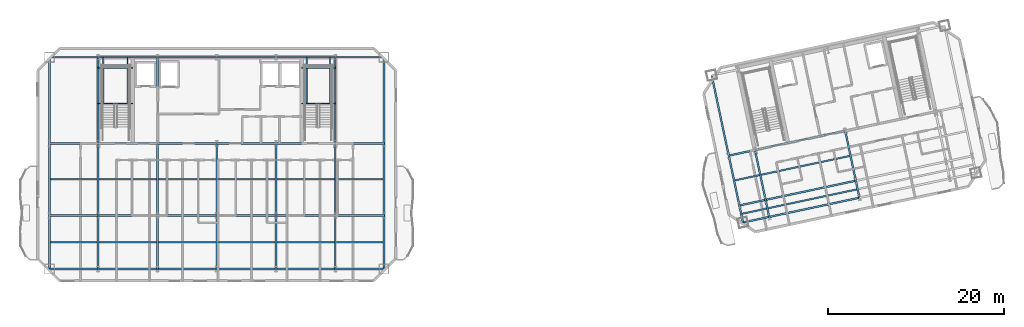
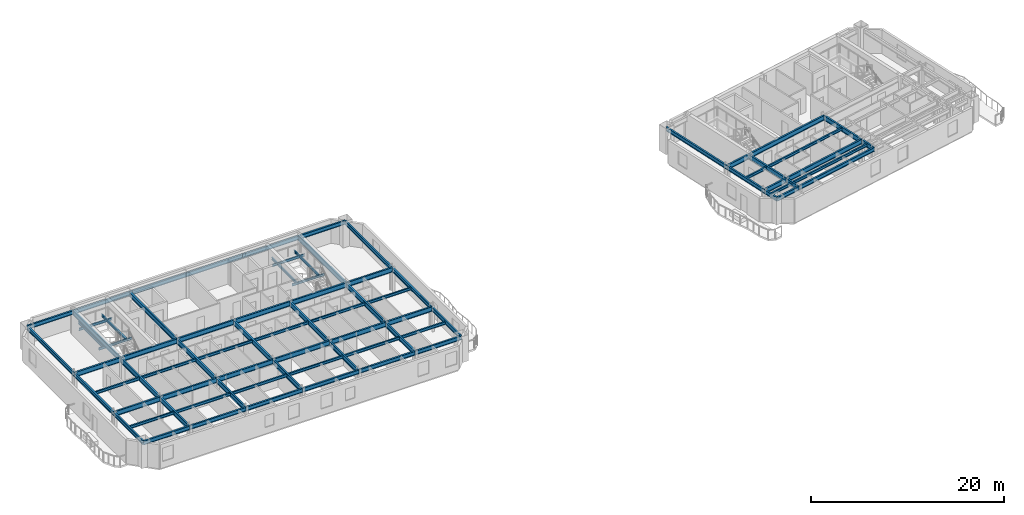
# One storey, part 3 of 14: 80 beams.
"""IFC4 building model written with IfcOpenShell, lengths in metres."""

from ifc_helpers import new_model, si_unit, direction, frame, origin, origin_2d, place, context, subcontext, project, spatial, i_section, extrude, material, material_profile, profile_set, type_object, element, save


model = new_model("IFC4")

# Units and contexts
model_context = context("Model", 3, precision=1e-05, world=origin(), true_north=direction((0.0, 1.0)))
body_context = subcontext(model_context, "Body", "Model", "MODEL_VIEW")
ifc_project = project(units=[si_unit("LENGTHUNIT", "METRE"), si_unit("AREAUNIT", "SQUARE_METRE"), si_unit("VOLUMEUNIT", "CUBIC_METRE"), si_unit("PLANEANGLEUNIT", "RADIAN"), si_unit("MASSUNIT", "GRAM", prefix="KILO")], contexts=[model_context])

# Site, building, storey
site_placement = place(None, origin())
site = spatial("IfcSite", under=ifc_project, at=site_placement, CompositionType="ELEMENT")
building_placement = place(site_placement, origin())
building = spatial("IfcBuilding", under=site, at=building_placement, Name="Haevon Station Towers", CompositionType="ELEMENT")
storey_placement = place(building_placement, frame((0.0, 0.0, 212.10009765625)))
storey = spatial("IfcBuildingStorey", under=building, at=storey_placement, Name="L58", CompositionType="ELEMENT", Elevation=212.10009765625)

# Beams
ifc_material = material(Name="Steel S355", Category="steel")
ifc_material_profile_1 = material_profile(ifc_material, i_section(OverallWidth=0.199951171875, OverallDepth=0.60009765625, WebThickness=0.010986328125, FlangeThickness=0.01708984375, at=origin_2d()), Name="H-600x200x11x17")
ifc_profile_set_1 = profile_set([ifc_material_profile_1], Name="Steel S355")
beam_type_1 = type_object("IfcBeamType", Name="BM-G600", PredefinedType="BEAM", material=ifc_profile_set_1)
beam_1_placement = place(storey_placement, frame((18.47509765625, 30.0, 2.75), z_axis=(1.0, 0.0, 0.0), x_axis=(0.0, 1.0, 0.0)))
element("IfcBeam", 1, at=beam_1_placement, inside=storey, type_object=beam_type_1, Name="BM-T1U-L58-02-01", PredefinedType="BEAM", context=body_context, shape_type="SweptSolid", body=[
    extrude(i_section(OverallWidth=0.199951171875, OverallDepth=0.60009765625, WebThickness=0.010986328125, FlangeThickness=0.01708984375, at=origin_2d()), origin(), (0.0, 0.0, 1.0), 5.52490234375),
])
for number, where, z_axis, x_axis, name in (
    (2, (24.0, 30.0, 2.75), (1.0, 0.0, 0.0), (0.0, 1.0, 0.0), "BM-T1U-L58-02-02"),
    (3, (30.75, 30.0, 2.75), (1.0, 0.0, 0.0), (0.0, 1.0, 0.0), "BM-T1U-L58-02-03"),
    (4, (37.5, 30.0, 2.75), (1.0, 0.0, 0.0), (0.0, 1.0, 0.0), "BM-T1U-L58-02-04"),
    (5, (44.25, 30.0, 2.75), (1.0, 0.0, 0.0), (0.0, 1.0, 0.0), "BM-T1U-L58-02-05"),
):
    element("IfcBeam", number, at=place(storey_placement, frame(where, z_axis=z_axis, x_axis=x_axis)), inside=storey, type_object=beam_type_1, Name=name, PredefinedType="BEAM", context=body_context, shape_type="SweptSolid", body=[
        extrude(i_section(OverallWidth=0.199951171875, OverallDepth=0.60009765625, WebThickness=0.010986328125, FlangeThickness=0.01708984375, at=origin_2d()), origin(), (0.0, 0.0, 1.0), 6.75),
    ])
for number, where, z_axis, x_axis, name in (
    (6, (51.0, 30.0, 2.75), (1.0, 0.0, 0.0), (0.0, 1.0, 0.0), "BM-T1U-L58-02-06"),
    (7, (18.47509765625, 38.199951171875, 2.75), (1.0, 0.0, 0.0), (0.0, 1.0, 0.0), "BM-T1U-L58-03-01"),
):
    element("IfcBeam", number, at=place(storey_placement, frame(where, z_axis=z_axis, x_axis=x_axis)), inside=storey, type_object=beam_type_1, Name=name, PredefinedType="BEAM", context=body_context, shape_type="SweptSolid", body=[
        extrude(i_section(OverallWidth=0.199951171875, OverallDepth=0.60009765625, WebThickness=0.010986328125, FlangeThickness=0.01708984375, at=origin_2d()), origin(), (0.0, 0.0, 1.0), 5.52490234375),
    ])
for number, where, z_axis, x_axis, name in (
    (8, (24.0, 38.199951171875, 2.75), (1.0, 0.0, 0.0), (0.0, 1.0, 0.0), "BM-T1U-L58-03-02"),
    (9, (30.75, 38.199951171875, 2.75), (1.0, 0.0, 0.0), (0.0, 1.0, 0.0), "BM-T1U-L58-03-03"),
    (10, (37.5, 38.199951171875, 2.75), (1.0, 0.0, 0.0), (0.0, 1.0, 0.0), "BM-T1U-L58-03-04"),
    (11, (44.25, 38.199951171875, 2.75), (1.0, 0.0, 0.0), (0.0, 1.0, 0.0), "BM-T1U-L58-03-05"),
):
    element("IfcBeam", number, at=place(storey_placement, frame(where, z_axis=z_axis, x_axis=x_axis)), inside=storey, type_object=beam_type_1, Name=name, PredefinedType="BEAM", context=body_context, shape_type="SweptSolid", body=[
        extrude(i_section(OverallWidth=0.199951171875, OverallDepth=0.60009765625, WebThickness=0.010986328125, FlangeThickness=0.01708984375, at=origin_2d()), origin(), (0.0, 0.0, 1.0), 6.75),
    ])
beam_2_placement = place(storey_placement, frame((51.0, 38.199951171875, 2.75), z_axis=(1.0, 0.0, 0.0), x_axis=(0.0, 1.0, 0.0)))
element("IfcBeam", 12, at=beam_2_placement, inside=storey, type_object=beam_type_1, Name="BM-T1U-L58-03-06", PredefinedType="BEAM", context=body_context, shape_type="SweptSolid", body=[
    extrude(i_section(OverallWidth=0.199951171875, OverallDepth=0.60009765625, WebThickness=0.010986328125, FlangeThickness=0.01708984375, at=origin_2d()), origin(), (0.0, 0.0, 1.0), 5.52490234375),
])
beam_3_placement = place(storey_placement, frame((24.0, 23.89990234375, 2.75), z_axis=(0.0, 1.0, 0.0), x_axis=(-1.0, 0.0, 0.0)))
element("IfcBeam", 13, at=beam_3_placement, inside=storey, type_object=beam_type_1, Name="BM-T1V-L58-02-01", PredefinedType="BEAM", context=body_context, shape_type="SweptSolid", body=[
    extrude(i_section(OverallWidth=0.199951171875, OverallDepth=0.60009765625, WebThickness=0.010986328125, FlangeThickness=0.01708984375, at=origin_2d()), origin(), (0.0, 0.0, 1.0), 6.10009765625),
])
beam_4_placement = place(storey_placement, frame((24.0, 30.0, 2.75), z_axis=(0.0, 1.0, 0.0), x_axis=(-1.0, 0.0, 0.0)))
element("IfcBeam", 14, at=beam_4_placement, inside=storey, type_object=beam_type_1, Name="BM-T1V-L58-02-02", PredefinedType="BEAM", context=body_context, shape_type="SweptSolid", body=[
    extrude(i_section(OverallWidth=0.199951171875, OverallDepth=0.60009765625, WebThickness=0.010986328125, FlangeThickness=0.01708984375, at=origin_2d()), origin(), (0.0, 0.0, 1.0), 8.199951171875),
])
beam_5_placement = place(storey_placement, frame((24.0, 38.199951171875, 2.75), z_axis=(0.0, 1.0, 0.0), x_axis=(-1.0, 0.0, 0.0)))
element("IfcBeam", 15, at=beam_5_placement, inside=storey, type_object=beam_type_1, Name="BM-T1V-L58-02-03", PredefinedType="BEAM", context=body_context, shape_type="SweptSolid", body=[
    extrude(i_section(OverallWidth=0.199951171875, OverallDepth=0.60009765625, WebThickness=0.010986328125, FlangeThickness=0.01708984375, at=origin_2d()), origin(), (0.0, 0.0, 1.0), 9.800048828125),
])
beam_6_placement = place(storey_placement, frame((30.75, 23.89990234375, 2.75), z_axis=(0.0, 1.0, 0.0), x_axis=(-1.0, 0.0, 0.0)))
element("IfcBeam", 16, at=beam_6_placement, inside=storey, type_object=beam_type_1, Name="BM-T1V-L58-03-01", PredefinedType="BEAM", context=body_context, shape_type="SweptSolid", body=[
    extrude(i_section(OverallWidth=0.199951171875, OverallDepth=0.60009765625, WebThickness=0.010986328125, FlangeThickness=0.01708984375, at=origin_2d()), origin(), (0.0, 0.0, 1.0), 6.10009765625),
])
beam_7_placement = place(storey_placement, frame((30.75, 30.0, 2.75), z_axis=(0.0, 1.0, 0.0), x_axis=(-1.0, 0.0, 0.0)))
element("IfcBeam", 17, at=beam_7_placement, inside=storey, type_object=beam_type_1, Name="BM-T1V-L58-03-02", PredefinedType="BEAM", context=body_context, shape_type="SweptSolid", body=[
    extrude(i_section(OverallWidth=0.199951171875, OverallDepth=0.60009765625, WebThickness=0.010986328125, FlangeThickness=0.01708984375, at=origin_2d()), origin(), (0.0, 0.0, 1.0), 8.199951171875),
])
beam_8_placement = place(storey_placement, frame((30.75, 38.199951171875, 2.75), z_axis=(0.0, 1.0, 0.0), x_axis=(-1.0, 0.0, 0.0)))
element("IfcBeam", 18, at=beam_8_placement, inside=storey, type_object=beam_type_1, Name="BM-T1V-L58-03-03", PredefinedType="BEAM", context=body_context, shape_type="SweptSolid", body=[
    extrude(i_section(OverallWidth=0.199951171875, OverallDepth=0.60009765625, WebThickness=0.010986328125, FlangeThickness=0.01708984375, at=origin_2d()), origin(), (0.0, 0.0, 1.0), 9.800048828125),
])
beam_9_placement = place(storey_placement, frame((37.5, 23.89990234375, 2.75), z_axis=(0.0, 1.0, 0.0), x_axis=(-1.0, 0.0, 0.0)))
element("IfcBeam", 19, at=beam_9_placement, inside=storey, type_object=beam_type_1, Name="BM-T1V-L58-04-01", PredefinedType="BEAM", context=body_context, shape_type="SweptSolid", body=[
    extrude(i_section(OverallWidth=0.199951171875, OverallDepth=0.60009765625, WebThickness=0.010986328125, FlangeThickness=0.01708984375, at=origin_2d()), origin(), (0.0, 0.0, 1.0), 6.10009765625),
])
beam_10_placement = place(storey_placement, frame((37.5, 30.0, 2.75), z_axis=(0.0, 1.0, 0.0), x_axis=(-1.0, 0.0, 0.0)))
element("IfcBeam", 20, at=beam_10_placement, inside=storey, type_object=beam_type_1, Name="BM-T1V-L58-04-02", PredefinedType="BEAM", context=body_context, shape_type="SweptSolid", body=[
    extrude(i_section(OverallWidth=0.199951171875, OverallDepth=0.60009765625, WebThickness=0.010986328125, FlangeThickness=0.01708984375, at=origin_2d()), origin(), (0.0, 0.0, 1.0), 8.199951171875),
])
beam_11_placement = place(storey_placement, frame((44.25, 23.89990234375, 2.75), z_axis=(0.0, 1.0, 0.0), x_axis=(-1.0, 0.0, 0.0)))
element("IfcBeam", 21, at=beam_11_placement, inside=storey, type_object=beam_type_1, Name="BM-T1V-L58-05-01", PredefinedType="BEAM", context=body_context, shape_type="SweptSolid", body=[
    extrude(i_section(OverallWidth=0.199951171875, OverallDepth=0.60009765625, WebThickness=0.010986328125, FlangeThickness=0.01708984375, at=origin_2d()), origin(), (0.0, 0.0, 1.0), 6.10009765625),
])
beam_12_placement = place(storey_placement, frame((44.25, 30.0, 2.75), z_axis=(0.0, 1.0, 0.0), x_axis=(-1.0, 0.0, 0.0)))
element("IfcBeam", 22, at=beam_12_placement, inside=storey, type_object=beam_type_1, Name="BM-T1V-L58-05-02", PredefinedType="BEAM", context=body_context, shape_type="SweptSolid", body=[
    extrude(i_section(OverallWidth=0.199951171875, OverallDepth=0.60009765625, WebThickness=0.010986328125, FlangeThickness=0.01708984375, at=origin_2d()), origin(), (0.0, 0.0, 1.0), 8.199951171875),
])
beam_13_placement = place(storey_placement, frame((51.0, 23.89990234375, 2.75), z_axis=(0.0, 1.0, 0.0), x_axis=(-1.0, 0.0, 0.0)))
element("IfcBeam", 23, at=beam_13_placement, inside=storey, type_object=beam_type_1, Name="BM-T1V-L58-06-01", PredefinedType="BEAM", context=body_context, shape_type="SweptSolid", body=[
    extrude(i_section(OverallWidth=0.199951171875, OverallDepth=0.60009765625, WebThickness=0.010986328125, FlangeThickness=0.01708984375, at=origin_2d()), origin(), (0.0, 0.0, 1.0), 6.10009765625),
])
beam_14_placement = place(storey_placement, frame((51.0, 30.0, 2.75), z_axis=(0.0, 1.0, 0.0), x_axis=(-1.0, 0.0, 0.0)))
element("IfcBeam", 24, at=beam_14_placement, inside=storey, type_object=beam_type_1, Name="BM-T1V-L58-06-02", PredefinedType="BEAM", context=body_context, shape_type="SweptSolid", body=[
    extrude(i_section(OverallWidth=0.199951171875, OverallDepth=0.60009765625, WebThickness=0.010986328125, FlangeThickness=0.01708984375, at=origin_2d()), origin(), (0.0, 0.0, 1.0), 8.199951171875),
])
beam_15_placement = place(storey_placement, frame((51.0, 38.199951171875, 2.75), z_axis=(0.0, 1.0, 0.0), x_axis=(-1.0, 0.0, 0.0)))
element("IfcBeam", 25, at=beam_15_placement, inside=storey, type_object=beam_type_1, Name="BM-T1V-L58-06-03", PredefinedType="BEAM", context=body_context, shape_type="SweptSolid", body=[
    extrude(i_section(OverallWidth=0.199951171875, OverallDepth=0.60009765625, WebThickness=0.010986328125, FlangeThickness=0.01708984375, at=origin_2d()), origin(), (0.0, 0.0, 1.0), 9.800048828125),
])
beam_16_placement = place(storey_placement, frame((96.974853515625, 31.135009765625, 2.75), z_axis=(0.978154782045, 0.207877902534, 0.0), x_axis=(-0.207877902534, 0.978154782045, 0.0)))
element("IfcBeam", 26, at=beam_16_placement, inside=storey, type_object=beam_type_1, Name="BM-T2U-L58-02-01", PredefinedType="BEAM", context=body_context, shape_type="SweptSolid", body=[
    extrude(i_section(OverallWidth=0.199951171875, OverallDepth=0.60009765625, WebThickness=0.010986328125, FlangeThickness=0.01708984375, at=origin_2d()), origin(), (0.0, 0.0, 1.0), 3.050048828125),
])
beam_17_placement = place(storey_placement, frame((99.958251953125, 31.76904296875, 2.75), z_axis=(0.978146794194, 0.207915485254, 0.0), x_axis=(-0.207915485254, 0.978146794194, 0.0)))
element("IfcBeam", 27, at=beam_17_placement, inside=storey, type_object=beam_type_1, Name="BM-T2U-L58-02-02", PredefinedType="BEAM", context=body_context, shape_type="SweptSolid", body=[
    extrude(i_section(OverallWidth=0.199951171875, OverallDepth=0.60009765625, WebThickness=0.010986328125, FlangeThickness=0.01708984375, at=origin_2d()), origin(), (0.0, 0.0, 1.0), 10.5),
])
beam_18_placement = place(storey_placement, frame((95.76904296875, 36.808349609375, 2.75), z_axis=(0.978154782045, 0.207877902534, 0.0), x_axis=(-0.207877902534, 0.978154782045, 0.0)))
element("IfcBeam", 28, at=beam_18_placement, inside=storey, type_object=beam_type_1, Name="BM-T2U-L58-03-01", PredefinedType="BEAM", context=body_context, shape_type="SweptSolid", body=[
    extrude(i_section(OverallWidth=0.199951171875, OverallDepth=0.60009765625, WebThickness=0.010986328125, FlangeThickness=0.01708984375, at=origin_2d()), origin(), (0.0, 0.0, 1.0), 3.050048828125),
])
beam_19_placement = place(storey_placement, frame((98.75244140625, 37.4423828125, 2.75), z_axis=(0.978146794194, 0.207915485254, 0.0), x_axis=(-0.207915485254, 0.978146794194, 0.0)))
element("IfcBeam", 29, at=beam_19_placement, inside=storey, type_object=beam_type_1, Name="BM-T2U-L58-03-02", PredefinedType="BEAM", context=body_context, shape_type="SweptSolid", body=[
    extrude(i_section(OverallWidth=0.199951171875, OverallDepth=0.60009765625, WebThickness=0.010986328125, FlangeThickness=0.01708984375, at=origin_2d()), origin(), (0.0, 0.0, 1.0), 10.5),
])
beam_20_placement = place(storey_placement, frame((100.369873046875, 29.83251953125, 2.75), z_axis=(-0.207911850433, 0.978147566806, 0.0), x_axis=(-0.978147566806, -0.207911850433, 0.0)))
element("IfcBeam", 30, at=beam_20_placement, inside=storey, type_object=beam_type_1, Name="BM-T2V-L58-02-01", PredefinedType="BEAM", context=body_context, shape_type="SweptSolid", body=[
    extrude(i_section(OverallWidth=0.199951171875, OverallDepth=0.60009765625, WebThickness=0.010986328125, FlangeThickness=0.01708984375, at=origin_2d()), origin(), (0.0, 0.0, 1.0), 1.979736328125),
])
beam_21_placement = place(storey_placement, frame((99.958251953125, 31.76904296875, 2.75), z_axis=(-0.207896009217, 0.97815093383, 0.0), x_axis=(-0.97815093383, -0.207896009217, 0.0)))
element("IfcBeam", 31, at=beam_21_placement, inside=storey, type_object=beam_type_1, Name="BM-T2V-L58-02-02", PredefinedType="BEAM", context=body_context, shape_type="SweptSolid", body=[
    extrude(i_section(OverallWidth=0.199951171875, OverallDepth=0.60009765625, WebThickness=0.010986328125, FlangeThickness=0.01708984375, at=origin_2d()), origin(), (0.0, 0.0, 1.0), 5.800048828125),
])
beam_22_placement = place(storey_placement, frame((110.640380859375, 32.015380859375, 2.75), z_axis=(-0.207886774674, 0.978152896492, 0.0), x_axis=(-0.978152896492, -0.207886774674, 0.0)))
element("IfcBeam", 32, at=beam_22_placement, inside=storey, type_object=beam_type_1, Name="BM-T2V-L58-03-01", PredefinedType="BEAM", context=body_context, shape_type="SweptSolid", body=[
    extrude(i_section(OverallWidth=0.199951171875, OverallDepth=0.60009765625, WebThickness=0.010986328125, FlangeThickness=0.01708984375, at=origin_2d()), origin(), (0.0, 0.0, 1.0), 1.97998046875),
])
beam_23_placement = place(storey_placement, frame((110.228759765625, 33.9521484375, 2.75), z_axis=(-0.207896009217, 0.97815093383, 0.0), x_axis=(-0.97815093383, -0.207896009217, 0.0)))
element("IfcBeam", 33, at=beam_23_placement, inside=storey, type_object=beam_type_1, Name="BM-T2V-L58-03-02", PredefinedType="BEAM", context=body_context, shape_type="SweptSolid", body=[
    extrude(i_section(OverallWidth=0.199951171875, OverallDepth=0.60009765625, WebThickness=0.010986328125, FlangeThickness=0.01708984375, at=origin_2d()), origin(), (0.0, 0.0, 1.0), 5.800048828125),
])
ifc_material_profile_2 = material_profile(ifc_material, i_section(OverallWidth=0.175048828125, OverallDepth=0.35009765625, WebThickness=0.007080078125, FlangeThickness=0.010986328125, at=origin_2d()), Name="H-350x175x7x11")
ifc_profile_set_2 = profile_set([ifc_material_profile_2], Name="Steel S355")
beam_type_2 = type_object("IfcBeamType", Name="BM-J350", PredefinedType="JOIST", material=ifc_profile_set_2)
beam_24_placement = place(storey_placement, frame((18.5849609375, 26.949951171875, 2.875), z_axis=(1.0, 0.0, 0.0), x_axis=(0.0, 1.0, 0.0)))
element("IfcBeam", 34, at=beam_24_placement, inside=storey, type_object=beam_type_2, Name="BM-T1J-L58-01-01", PredefinedType="JOIST", context=body_context, shape_type="SweptSolid", body=[
    extrude(i_section(OverallWidth=0.175048828125, OverallDepth=0.35009765625, WebThickness=0.007080078125, FlangeThickness=0.010986328125, at=origin_2d()), origin(), (0.0, 0.0, 1.0), 5.304931640625),
])
for number, where, z_axis, x_axis, name in (
    (35, (24.110107421875, 26.949951171875, 2.875), (1.0, 0.0, 0.0), (0.0, 1.0, 0.0), "BM-T1J-L58-01-02"),
    (36, (30.860107421875, 26.949951171875, 2.875), (1.0, 0.0, 0.0), (0.0, 1.0, 0.0), "BM-T1J-L58-01-03"),
    (37, (37.610107421875, 26.949951171875, 2.875), (1.0, 0.0, 0.0), (0.0, 1.0, 0.0), "BM-T1J-L58-01-04"),
    (38, (44.360107421875, 26.949951171875, 2.875), (1.0, 0.0, 0.0), (0.0, 1.0, 0.0), "BM-T1J-L58-01-05"),
):
    element("IfcBeam", number, at=place(storey_placement, frame(where, z_axis=z_axis, x_axis=x_axis)), inside=storey, type_object=beam_type_2, Name=name, PredefinedType="JOIST", context=body_context, shape_type="SweptSolid", body=[
        extrude(i_section(OverallWidth=0.175048828125, OverallDepth=0.35009765625, WebThickness=0.007080078125, FlangeThickness=0.010986328125, at=origin_2d()), origin(), (0.0, 0.0, 1.0), 6.52978515625),
    ])
for number, where, z_axis, x_axis, name in (
    (39, (51.110107421875, 26.949951171875, 2.875), (1.0, 0.0, 0.0), (0.0, 1.0, 0.0), "BM-T1J-L58-01-06"),
    (40, (18.5849609375, 34.10009765625, 2.875), (1.0, 0.0, 0.0), (0.0, 1.0, 0.0), "BM-T1J-L58-02-01"),
):
    element("IfcBeam", number, at=place(storey_placement, frame(where, z_axis=z_axis, x_axis=x_axis)), inside=storey, type_object=beam_type_2, Name=name, PredefinedType="JOIST", context=body_context, shape_type="SweptSolid", body=[
        extrude(i_section(OverallWidth=0.175048828125, OverallDepth=0.35009765625, WebThickness=0.007080078125, FlangeThickness=0.010986328125, at=origin_2d()), origin(), (0.0, 0.0, 1.0), 5.304931640625),
    ])
for number, where, z_axis, x_axis, name in (
    (41, (24.110107421875, 34.10009765625, 2.875), (1.0, 0.0, 0.0), (0.0, 1.0, 0.0), "BM-T1J-L58-02-02"),
    (42, (30.860107421875, 34.10009765625, 2.875), (1.0, 0.0, 0.0), (0.0, 1.0, 0.0), "BM-T1J-L58-02-03"),
    (43, (37.610107421875, 34.10009765625, 2.875), (1.0, 0.0, 0.0), (0.0, 1.0, 0.0), "BM-T1J-L58-02-04"),
    (44, (44.360107421875, 34.10009765625, 2.875), (1.0, 0.0, 0.0), (0.0, 1.0, 0.0), "BM-T1J-L58-02-05"),
):
    element("IfcBeam", number, at=place(storey_placement, frame(where, z_axis=z_axis, x_axis=x_axis)), inside=storey, type_object=beam_type_2, Name=name, PredefinedType="JOIST", context=body_context, shape_type="SweptSolid", body=[
        extrude(i_section(OverallWidth=0.175048828125, OverallDepth=0.35009765625, WebThickness=0.007080078125, FlangeThickness=0.010986328125, at=origin_2d()), origin(), (0.0, 0.0, 1.0), 6.52978515625),
    ])
beam_25_placement = place(storey_placement, frame((51.110107421875, 34.10009765625, 2.875), z_axis=(1.0, 0.0, 0.0), x_axis=(0.0, 1.0, 0.0)))
element("IfcBeam", 45, at=beam_25_placement, inside=storey, type_object=beam_type_2, Name="BM-T1J-L58-02-06", PredefinedType="JOIST", context=body_context, shape_type="SweptSolid", body=[
    extrude(i_section(OverallWidth=0.175048828125, OverallDepth=0.35009765625, WebThickness=0.007080078125, FlangeThickness=0.010986328125, at=origin_2d()), origin(), (0.0, 0.0, 1.0), 5.304931640625),
])
beam_26_placement = place(storey_placement, frame((97.288330078125, 30.189453125, 2.875), z_axis=(0.9781470094, 0.207914472804, 0.0), x_axis=(-0.207914472804, 0.9781470094, 0.0)))
element("IfcBeam", 46, at=beam_26_placement, inside=storey, type_object=beam_type_2, Name="BM-T2J-L58-01-01", PredefinedType="JOIST", context=body_context, shape_type="SweptSolid", body=[
    extrude(i_section(OverallWidth=0.175048828125, OverallDepth=0.35009765625, WebThickness=0.007080078125, FlangeThickness=0.010986328125, at=origin_2d()), origin(), (0.0, 0.0, 1.0), 2.829833984375),
])
beam_27_placement = place(storey_placement, frame((100.271728515625, 30.82373046875, 2.875), z_axis=(0.978149313139, 0.20790363442, 0.0), x_axis=(-0.20790363442, 0.978149313139, 0.0)))
element("IfcBeam", 47, at=beam_27_placement, inside=storey, type_object=beam_type_2, Name="BM-T2J-L58-01-02", PredefinedType="JOIST", context=body_context, shape_type="SweptSolid", body=[
    extrude(i_section(OverallWidth=0.175048828125, OverallDepth=0.35009765625, WebThickness=0.007080078125, FlangeThickness=0.010986328125, at=origin_2d()), origin(), (0.0, 0.0, 1.0), 10.27978515625),
])
beam_28_placement = place(storey_placement, frame((96.4794921875, 33.99462890625, 2.875), z_axis=(0.978150738312, 0.207896929124, 0.0), x_axis=(-0.207896929124, 0.978150738312, 0.0)))
element("IfcBeam", 48, at=beam_28_placement, inside=storey, type_object=beam_type_2, Name="BM-T2J-L58-02-01", PredefinedType="JOIST", context=body_context, shape_type="SweptSolid", body=[
    extrude(i_section(OverallWidth=0.175048828125, OverallDepth=0.35009765625, WebThickness=0.007080078125, FlangeThickness=0.010986328125, at=origin_2d()), origin(), (0.0, 0.0, 1.0), 2.830078125),
])
beam_29_placement = place(storey_placement, frame((99.462890625, 34.628662109375, 2.875), z_axis=(0.978150339653, 0.207898804801, 0.0), x_axis=(-0.207898804801, 0.978150339653, 0.0)))
element("IfcBeam", 49, at=beam_29_placement, inside=storey, type_object=beam_type_2, Name="BM-T2J-L58-02-02", PredefinedType="JOIST", context=body_context, shape_type="SweptSolid", body=[
    extrude(i_section(OverallWidth=0.175048828125, OverallDepth=0.35009765625, WebThickness=0.007080078125, FlangeThickness=0.010986328125, at=origin_2d()), origin(), (0.0, 0.0, 1.0), 10.280029296875),
])
ifc_material_profile_3 = material_profile(ifc_material, i_section(OverallWidth=0.14990234375, OverallDepth=0.300048828125, WebThickness=0.006591796875, FlangeThickness=0.009033203125, at=origin_2d()), Name="H-300x150x6.5x9")
ifc_profile_set_3 = profile_set([ifc_material_profile_3], Name="Steel S355")
beam_type_3 = type_object("IfcBeamType", Name="BM-LIN300", PredefinedType="LINTEL", material=ifc_profile_set_3)
for number, where, z_axis, x_axis, name in (
    (50, (24.0, 42.743896484375, 1.2998046875), (1.0, 0.0, 0.0), (0.0, 1.0, 0.0), "BM-ST1L-L58-1-S"),
    (51, (24.0, 46.820068359375, 1.2998046875), (1.0, 0.0, 0.0), (0.0, 1.0, 0.0), "BM-ST1L-L58-1-N"),
):
    element("IfcBeam", number, at=place(storey_placement, frame(where, z_axis=z_axis, x_axis=x_axis)), inside=storey, type_object=beam_type_3, Name=name, PredefinedType="LINTEL", context=body_context, shape_type="SweptSolid", body=[
        extrude(i_section(OverallWidth=0.14990234375, OverallDepth=0.300048828125, WebThickness=0.006591796875, FlangeThickness=0.009033203125, at=origin_2d()), origin(), (0.0, 0.0, 1.0), 3.949951171875),
    ])
for number, where, z_axis, x_axis, name in (
    (52, (24.60009765625, 42.743896484375, 1.2998046875), (0.0, 1.0, 0.0), (-1.0, 0.0, 0.0), "BM-ST1L-L58-1-W"),
    (53, (27.35009765625, 42.743896484375, 1.2998046875), (0.0, 1.0, 0.0), (-1.0, 0.0, 0.0), "BM-ST1L-L58-1-E"),
):
    element("IfcBeam", number, at=place(storey_placement, frame(where, z_axis=z_axis, x_axis=x_axis)), inside=storey, type_object=beam_type_3, Name=name, PredefinedType="LINTEL", context=body_context, shape_type="SweptSolid", body=[
        extrude(i_section(OverallWidth=0.14990234375, OverallDepth=0.300048828125, WebThickness=0.006591796875, FlangeThickness=0.009033203125, at=origin_2d()), origin(), (0.0, 0.0, 1.0), 5.256103515625),
    ])
for number, where, z_axis, x_axis, name in (
    (54, (47.14990234375, 42.743896484375, 1.2998046875), (1.0, 0.0, 0.0), (0.0, 1.0, 0.0), "BM-ST2L-L58-1-S"),
    (55, (47.14990234375, 46.820068359375, 1.2998046875), (1.0, 0.0, 0.0), (0.0, 1.0, 0.0), "BM-ST2L-L58-1-N"),
):
    element("IfcBeam", number, at=place(storey_placement, frame(where, z_axis=z_axis, x_axis=x_axis)), inside=storey, type_object=beam_type_3, Name=name, PredefinedType="LINTEL", context=body_context, shape_type="SweptSolid", body=[
        extrude(i_section(OverallWidth=0.14990234375, OverallDepth=0.300048828125, WebThickness=0.006591796875, FlangeThickness=0.009033203125, at=origin_2d()), origin(), (0.0, 0.0, 1.0), 3.85009765625),
    ])
for number, where, z_axis, x_axis, name in (
    (56, (47.75, 42.743896484375, 1.2998046875), (0.0, 1.0, 0.0), (-1.0, 0.0, 0.0), "BM-ST2L-L58-1-W"),
    (57, (50.39990234375, 42.743896484375, 1.2998046875), (0.0, 1.0, 0.0), (-1.0, 0.0, 0.0), "BM-ST2L-L58-1-E"),
):
    element("IfcBeam", number, at=place(storey_placement, frame(where, z_axis=z_axis, x_axis=x_axis)), inside=storey, type_object=beam_type_3, Name=name, PredefinedType="LINTEL", context=body_context, shape_type="SweptSolid", body=[
        extrude(i_section(OverallWidth=0.14990234375, OverallDepth=0.300048828125, WebThickness=0.006591796875, FlangeThickness=0.009033203125, at=origin_2d()), origin(), (0.0, 0.0, 1.0), 5.256103515625),
    ])
ifc_material_profile_4 = material_profile(ifc_material, i_section(OverallWidth=0.199951171875, OverallDepth=0.5, WebThickness=0.010009765625, FlangeThickness=0.01611328125, at=origin_2d()), Name="H-500x200x10x16")
ifc_profile_set_4 = profile_set([ifc_material_profile_4], Name="Steel S355")
beam_type_4 = type_object("IfcBeamType", Name="BM-SP500", PredefinedType="SPANDREL", material=ifc_profile_set_4)
beam_30_placement = place(storey_placement, frame((18.47509765625, 23.89990234375, 2.7998046875), z_axis=(1.0, 0.0, 0.0), x_axis=(0.0, 1.0, 0.0)))
element("IfcBeam", 58, at=beam_30_placement, inside=storey, type_object=beam_type_4, Name="BM-T1U-L58-01-01", PredefinedType="SPANDREL", context=body_context, shape_type="SweptSolid", body=[
    extrude(i_section(OverallWidth=0.199951171875, OverallDepth=0.5, WebThickness=0.010009765625, FlangeThickness=0.01611328125, at=origin_2d()), origin(), (0.0, 0.0, 1.0), 5.52490234375),
])
for number, where, z_axis, x_axis, name in (
    (59, (24.0, 23.89990234375, 2.7998046875), (1.0, 0.0, 0.0), (0.0, 1.0, 0.0), "BM-T1U-L58-01-02"),
    (60, (30.75, 23.89990234375, 2.7998046875), (1.0, 0.0, 0.0), (0.0, 1.0, 0.0), "BM-T1U-L58-01-03"),
    (61, (37.5, 23.89990234375, 2.7998046875), (1.0, 0.0, 0.0), (0.0, 1.0, 0.0), "BM-T1U-L58-01-04"),
    (62, (44.25, 23.89990234375, 2.7998046875), (1.0, 0.0, 0.0), (0.0, 1.0, 0.0), "BM-T1U-L58-01-05"),
):
    element("IfcBeam", number, at=place(storey_placement, frame(where, z_axis=z_axis, x_axis=x_axis)), inside=storey, type_object=beam_type_4, Name=name, PredefinedType="SPANDREL", context=body_context, shape_type="SweptSolid", body=[
        extrude(i_section(OverallWidth=0.199951171875, OverallDepth=0.5, WebThickness=0.010009765625, FlangeThickness=0.01611328125, at=origin_2d()), origin(), (0.0, 0.0, 1.0), 6.75),
    ])
for number, where, z_axis, x_axis, name in (
    (63, (51.0, 23.89990234375, 2.7998046875), (1.0, 0.0, 0.0), (0.0, 1.0, 0.0), "BM-T1U-L58-01-06"),
    (64, (18.47509765625, 48.0, 2.7998046875), (1.0, 0.0, 0.0), (0.0, 1.0, 0.0), "BM-T1U-L58-04-01"),
):
    element("IfcBeam", number, at=place(storey_placement, frame(where, z_axis=z_axis, x_axis=x_axis)), inside=storey, type_object=beam_type_4, Name=name, PredefinedType="SPANDREL", context=body_context, shape_type="SweptSolid", body=[
        extrude(i_section(OverallWidth=0.199951171875, OverallDepth=0.5, WebThickness=0.010009765625, FlangeThickness=0.01611328125, at=origin_2d()), origin(), (0.0, 0.0, 1.0), 5.52490234375),
    ])
for number, where, z_axis, x_axis, name in (
    (65, (24.0, 48.0, 2.7998046875), (1.0, 0.0, 0.0), (0.0, 1.0, 0.0), "BM-T1U-L58-04-02"),
    (66, (30.75, 48.0, 2.7998046875), (1.0, 0.0, 0.0), (0.0, 1.0, 0.0), "BM-T1U-L58-04-03"),
    (67, (37.5, 48.0, 2.7998046875), (1.0, 0.0, 0.0), (0.0, 1.0, 0.0), "BM-T1U-L58-04-04"),
    (68, (44.25, 48.0, 2.7998046875), (1.0, 0.0, 0.0), (0.0, 1.0, 0.0), "BM-T1U-L58-04-05"),
):
    element("IfcBeam", number, at=place(storey_placement, frame(where, z_axis=z_axis, x_axis=x_axis)), inside=storey, type_object=beam_type_4, Name=name, PredefinedType="SPANDREL", context=body_context, shape_type="SweptSolid", body=[
        extrude(i_section(OverallWidth=0.199951171875, OverallDepth=0.5, WebThickness=0.010009765625, FlangeThickness=0.01611328125, at=origin_2d()), origin(), (0.0, 0.0, 1.0), 6.75),
    ])
beam_31_placement = place(storey_placement, frame((51.0, 48.0, 2.7998046875), z_axis=(1.0, 0.0, 0.0), x_axis=(0.0, 1.0, 0.0)))
element("IfcBeam", 69, at=beam_31_placement, inside=storey, type_object=beam_type_4, Name="BM-T1U-L58-04-06", PredefinedType="SPANDREL", context=body_context, shape_type="SweptSolid", body=[
    extrude(i_section(OverallWidth=0.199951171875, OverallDepth=0.5, WebThickness=0.010009765625, FlangeThickness=0.01611328125, at=origin_2d()), origin(), (0.0, 0.0, 1.0), 5.52490234375),
])
beam_32_placement = place(storey_placement, frame((18.47509765625, 23.89990234375, 2.7998046875), z_axis=(0.0, 1.0, 0.0), x_axis=(-1.0, 0.0, 0.0)))
element("IfcBeam", 70, at=beam_32_placement, inside=storey, type_object=beam_type_4, Name="BM-T1V-L58-01-01", PredefinedType="SPANDREL", context=body_context, shape_type="SweptSolid", body=[
    extrude(i_section(OverallWidth=0.199951171875, OverallDepth=0.5, WebThickness=0.010009765625, FlangeThickness=0.01611328125, at=origin_2d()), origin(), (0.0, 0.0, 1.0), 6.10009765625),
])
beam_33_placement = place(storey_placement, frame((18.47509765625, 30.0, 2.7998046875), z_axis=(0.0, 1.0, 0.0), x_axis=(-1.0, 0.0, 0.0)))
element("IfcBeam", 71, at=beam_33_placement, inside=storey, type_object=beam_type_4, Name="BM-T1V-L58-01-02", PredefinedType="SPANDREL", context=body_context, shape_type="SweptSolid", body=[
    extrude(i_section(OverallWidth=0.199951171875, OverallDepth=0.5, WebThickness=0.010009765625, FlangeThickness=0.01611328125, at=origin_2d()), origin(), (0.0, 0.0, 1.0), 8.199951171875),
])
beam_34_placement = place(storey_placement, frame((18.47509765625, 38.199951171875, 2.7998046875), z_axis=(0.0, 1.0, 0.0), x_axis=(-1.0, 0.0, 0.0)))
element("IfcBeam", 72, at=beam_34_placement, inside=storey, type_object=beam_type_4, Name="BM-T1V-L58-01-03", PredefinedType="SPANDREL", context=body_context, shape_type="SweptSolid", body=[
    extrude(i_section(OverallWidth=0.199951171875, OverallDepth=0.5, WebThickness=0.010009765625, FlangeThickness=0.01611328125, at=origin_2d()), origin(), (0.0, 0.0, 1.0), 9.800048828125),
])
beam_35_placement = place(storey_placement, frame((56.52490234375, 23.89990234375, 2.7998046875), z_axis=(0.0, 1.0, 0.0), x_axis=(-1.0, 0.0, 0.0)))
element("IfcBeam", 73, at=beam_35_placement, inside=storey, type_object=beam_type_4, Name="BM-T1V-L58-07-01", PredefinedType="SPANDREL", context=body_context, shape_type="SweptSolid", body=[
    extrude(i_section(OverallWidth=0.199951171875, OverallDepth=0.5, WebThickness=0.010009765625, FlangeThickness=0.01611328125, at=origin_2d()), origin(), (0.0, 0.0, 1.0), 6.10009765625),
])
beam_36_placement = place(storey_placement, frame((56.52490234375, 30.0, 2.7998046875), z_axis=(0.0, 1.0, 0.0), x_axis=(-1.0, 0.0, 0.0)))
element("IfcBeam", 74, at=beam_36_placement, inside=storey, type_object=beam_type_4, Name="BM-T1V-L58-07-02", PredefinedType="SPANDREL", context=body_context, shape_type="SweptSolid", body=[
    extrude(i_section(OverallWidth=0.199951171875, OverallDepth=0.5, WebThickness=0.010009765625, FlangeThickness=0.01611328125, at=origin_2d()), origin(), (0.0, 0.0, 1.0), 8.199951171875),
])
beam_37_placement = place(storey_placement, frame((56.52490234375, 38.199951171875, 2.7998046875), z_axis=(0.0, 1.0, 0.0), x_axis=(-1.0, 0.0, 0.0)))
element("IfcBeam", 75, at=beam_37_placement, inside=storey, type_object=beam_type_4, Name="BM-T1V-L58-07-03", PredefinedType="SPANDREL", context=body_context, shape_type="SweptSolid", body=[
    extrude(i_section(OverallWidth=0.199951171875, OverallDepth=0.5, WebThickness=0.010009765625, FlangeThickness=0.01611328125, at=origin_2d()), origin(), (0.0, 0.0, 1.0), 9.800048828125),
])
beam_38_placement = place(storey_placement, frame((97.386474609375, 29.1982421875, 2.7998046875), z_axis=(0.978138503145, 0.207954487003, 0.0), x_axis=(-0.207954487003, 0.978138503145, 0.0)))
element("IfcBeam", 76, at=beam_38_placement, inside=storey, type_object=beam_type_4, Name="BM-T2U-L58-01-01", PredefinedType="SPANDREL", context=body_context, shape_type="SweptSolid", body=[
    extrude(i_section(OverallWidth=0.199951171875, OverallDepth=0.5, WebThickness=0.010009765625, FlangeThickness=0.01611328125, at=origin_2d()), origin(), (0.0, 0.0, 1.0), 3.050048828125),
])
beam_39_placement = place(storey_placement, frame((100.369873046875, 29.83251953125, 2.7998046875), z_axis=(0.978151522678, 0.207893238667, 0.0), x_axis=(-0.207893238667, 0.978151522678, 0.0)))
element("IfcBeam", 77, at=beam_39_placement, inside=storey, type_object=beam_type_4, Name="BM-T2U-L58-01-02", PredefinedType="SPANDREL", context=body_context, shape_type="SweptSolid", body=[
    extrude(i_section(OverallWidth=0.199951171875, OverallDepth=0.5, WebThickness=0.010009765625, FlangeThickness=0.01611328125, at=origin_2d()), origin(), (0.0, 0.0, 1.0), 10.5),
])
beam_40_placement = place(storey_placement, frame((97.386474609375, 29.1982421875, 2.7998046875), z_axis=(-0.207886774674, 0.978152896492, 0.0), x_axis=(-0.978152896492, -0.207886774674, 0.0)))
element("IfcBeam", 78, at=beam_40_placement, inside=storey, type_object=beam_type_4, Name="BM-T2V-L58-01-01", PredefinedType="SPANDREL", context=body_context, shape_type="SweptSolid", body=[
    extrude(i_section(OverallWidth=0.199951171875, OverallDepth=0.5, WebThickness=0.010009765625, FlangeThickness=0.01611328125, at=origin_2d()), origin(), (0.0, 0.0, 1.0), 1.97998046875),
])
beam_41_placement = place(storey_placement, frame((96.974853515625, 31.135009765625, 2.7998046875), z_axis=(-0.207896009217, 0.97815093383, 0.0), x_axis=(-0.97815093383, -0.207896009217, 0.0)))
element("IfcBeam", 79, at=beam_41_placement, inside=storey, type_object=beam_type_4, Name="BM-T2V-L58-01-02", PredefinedType="SPANDREL", context=body_context, shape_type="SweptSolid", body=[
    extrude(i_section(OverallWidth=0.199951171875, OverallDepth=0.5, WebThickness=0.010009765625, FlangeThickness=0.01611328125, at=origin_2d()), origin(), (0.0, 0.0, 1.0), 5.800048828125),
])
beam_42_placement = place(storey_placement, frame((95.76904296875, 36.808349609375, 2.7998046875), z_axis=(-0.207927460032, 0.978144248751, 0.0), x_axis=(-0.978144248751, -0.207927460032, 0.0)))
element("IfcBeam", 80, at=beam_42_placement, inside=storey, type_object=beam_type_4, Name="BM-T2V-L58-01-03", PredefinedType="SPANDREL", context=body_context, shape_type="SweptSolid", body=[
    extrude(i_section(OverallWidth=0.199951171875, OverallDepth=0.5, WebThickness=0.010009765625, FlangeThickness=0.01611328125, at=origin_2d()), origin(), (0.0, 0.0, 1.0), 9.349853515625),
])

save(model, "model.ifc")
